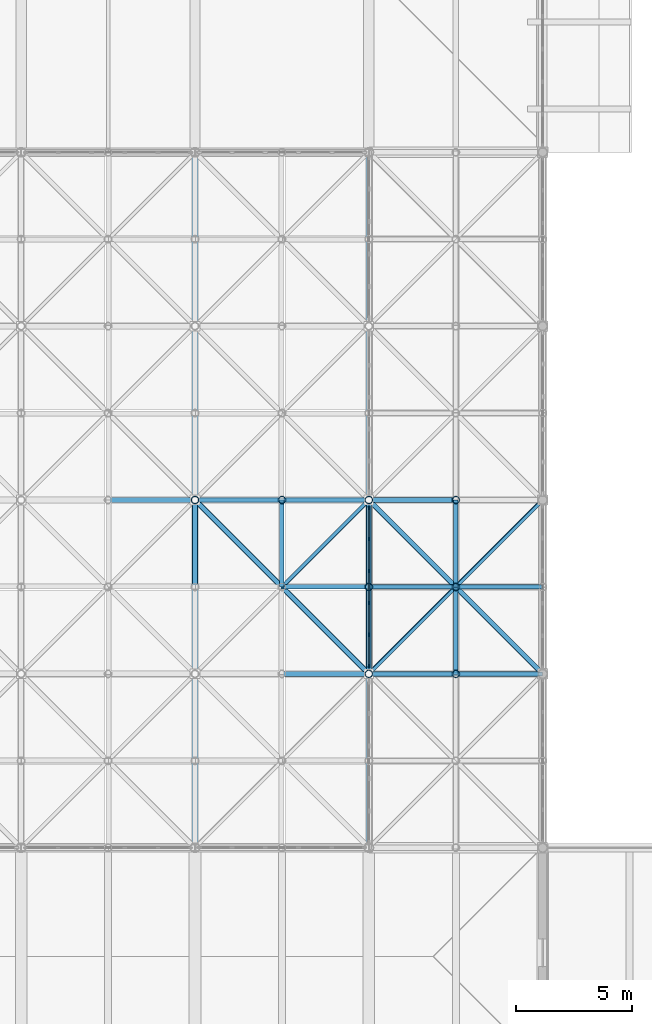
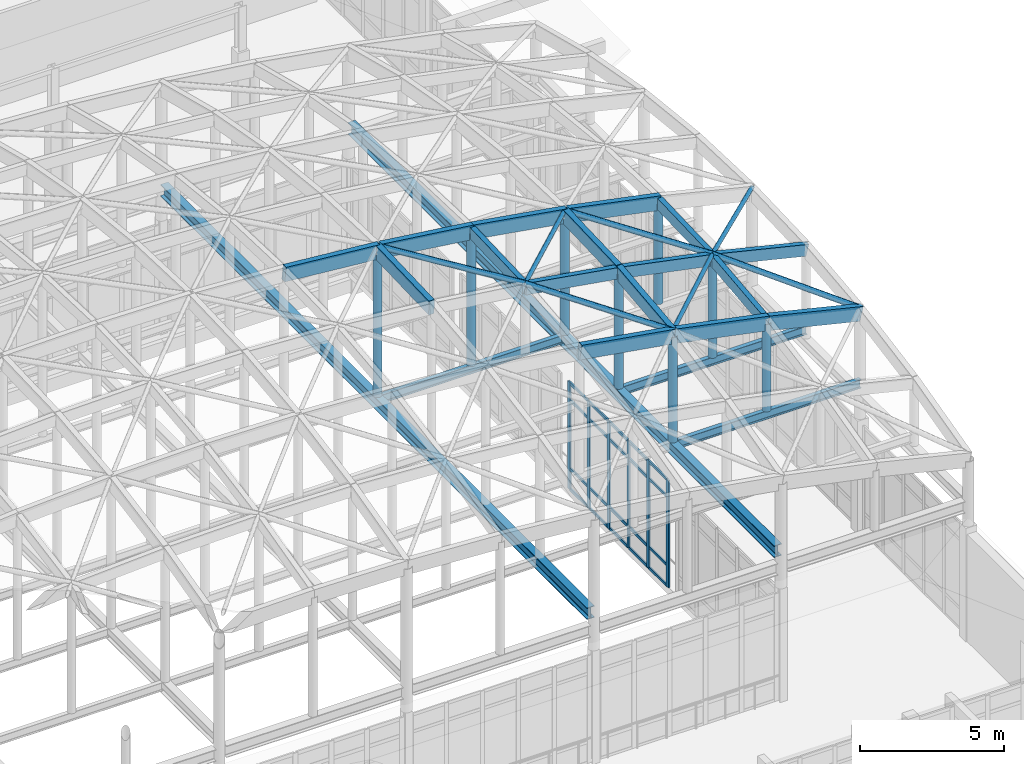
# One storey, part 44 of 131: 57 members, 5 beams, 1 element without a shape of its own.
"""IFC4 building model written with IfcOpenShell, lengths in metres."""

import ifcopenshell
import ifcopenshell.guid

model = None  # the IFC model being written
_history = None  # IfcOwnerHistory: only IFC2X3 demands one
_inside = {}  # id of a spatial element -> (the spatial element, [elements in it])
_under = {}  # id of a project, library or spatial element -> (it, [spatial elements below it])
_declared = {}  # id of a project -> (the project, [libraries it declares])
_typed = {}  # id of a type object -> (the type object, [elements of that type])
_made_of = {}  # id of a material, layer set ... -> (it, [elements and type objects made of it])


def new_model(schema):
    """Start an empty IFC model of exactly this schema.

    Asked for "IFC4X3", IfcOpenShell would pick the latest addendum, in which some entities
    have other attributes; the version numbers below select the first issue.
    IFC2X3 requires an IfcOwnerHistory on every rooted entity: one is made here for all.
    """
    global model, _history
    if schema == "IFC4X3":
        model = ifcopenshell.file(schema_version=(4, 3, 0, 0))
    else:
        model = ifcopenshell.file(schema=schema)
    _inside.clear()
    _under.clear()
    _declared.clear()
    _typed.clear()
    _made_of.clear()
    _history = None
    if model.schema == "IFC2X3":
        org = make("IfcOrganization", Name="unknown")
        user = make(
            "IfcPersonAndOrganization",
            ThePerson=make("IfcPerson", FamilyName="unknown"),
            TheOrganization=org,
        )
        app = make(
            "IfcApplication",
            ApplicationDeveloper=org,
            Version="unknown",
            ApplicationFullName="unknown",
            ApplicationIdentifier="unknown",
        )
        _history = make(
            "IfcOwnerHistory",
            OwningUser=user,
            OwningApplication=app,
            ChangeAction="ADDED",
            CreationDate=0,
        )
    return model


def make(cls, **values):
    """One entity of the class cls with the attributes given. An attribute that is None is left unset."""
    return model.create_entity(
        cls, **{name: value for name, value in values.items() if value is not None}
    )


def rooted(cls, **values):
    """An entity with a GlobalId (a new one), such as an element, a storey or a relation."""
    return make(cls, GlobalId=ifcopenshell.guid.new(), OwnerHistory=_history, **values)


def si_unit(unit_type, name, prefix=None):
    """IfcSIUnit, for example si_unit("LENGTHUNIT", "METRE", prefix="MILLI")."""
    return make("IfcSIUnit", UnitType=unit_type, Prefix=prefix, Name=name)


def assignment(units):
    """IfcUnitAssignment: the units of a project."""
    return None if units is None else make("IfcUnitAssignment", Units=units)


def point(xyz):
    """IfcCartesianPoint."""
    return None if xyz is None else make("IfcCartesianPoint", Coordinates=xyz)


def direction(xyz):
    """IfcDirection."""
    return None if xyz is None else make("IfcDirection", DirectionRatios=xyz)


def frame(location, z_axis=None, x_axis=None):
    """IfcAxis2Placement3D, a coordinate frame: its origin and axes. An axis left out is left unset."""
    return make(
        "IfcAxis2Placement3D",
        Location=point(location),
        Axis=direction(z_axis),
        RefDirection=direction(x_axis),
    )


def frame_2d(location, x_axis=None):
    """IfcAxis2Placement2D, a coordinate frame in the plane: its origin and x axis."""
    return make(
        "IfcAxis2Placement2D", Location=point(location), RefDirection=direction(x_axis)
    )


def origin():
    """The frame at (0, 0, 0) with its axes left unset."""
    return frame((0.0, 0.0, 0.0))


def origin_2d():
    """The frame at (0, 0) in the plane with its x axis left unset."""
    return frame_2d((0.0, 0.0))


def place(relative_to, where):
    """IfcLocalPlacement: puts the frame where relative to a parent placement (None: the world)."""
    return make(
        "IfcLocalPlacement", PlacementRelTo=relative_to, RelativePlacement=where
    )


def context(
    kind, dimensions, precision=None, world=None, true_north=None, identifier=None
):
    """IfcGeometricRepresentationContext, for example the 3D "Model" context."""
    return make(
        "IfcGeometricRepresentationContext",
        ContextIdentifier=identifier,
        ContextType=kind,
        CoordinateSpaceDimension=dimensions,
        Precision=precision,
        WorldCoordinateSystem=world,
        TrueNorth=true_north,
    )


def subcontext(parent, identifier, kind, view, scale=None):
    """IfcGeometricRepresentationSubContext, for example "Body" below "Model"."""
    return make(
        "IfcGeometricRepresentationSubContext",
        ContextIdentifier=identifier,
        ContextType=kind,
        ParentContext=parent,
        TargetScale=scale,
        TargetView=view,
    )


def project(units=None, contexts=None):
    """IfcProject with its units and contexts."""
    return rooted(
        "IfcProject",
        Name="project",
        RepresentationContexts=contexts,
        UnitsInContext=assignment(units),
    )


def spatial(cls, under=None, at=None, **own):
    """A site, building, storey or space (cls), placed at a placement, below another one or the project."""
    s = rooted(cls, ObjectPlacement=at, **own)
    if under is not None:
        _under.setdefault(under.id(), (under, []))[1].append(s)
    return s


def profile(cls, at=None, kind="AREA", **sizes):
    """A parametric profile (cls). Its sizes go by their IFC names, for example OverallWidth=200.0."""
    return make(cls, ProfileType=kind, Position=at, **sizes)


def rectangle(**sizes):
    """IfcRectangleProfileDef."""
    return profile("IfcRectangleProfileDef", **sizes)


def hollow_circle(**sizes):
    """IfcCircleHollowProfileDef."""
    return profile("IfcCircleHollowProfileDef", **sizes)


def i_section(**sizes):
    """IfcIShapeProfileDef."""
    return profile("IfcIShapeProfileDef", **sizes)


def extrude(swept, where, along, depth):
    """IfcExtrudedAreaSolid: the profile swept, set in the frame where, extruded along a direction by depth."""
    return make(
        "IfcExtrudedAreaSolid",
        SweptArea=swept,
        Position=where,
        ExtrudedDirection=direction(along),
        Depth=depth,
    )


def shape(context_of_items, identifier, shape_type, items):
    """IfcShapeRepresentation: the items that make up one representation, for example the "Body"."""
    return make(
        "IfcShapeRepresentation",
        ContextOfItems=context_of_items,
        RepresentationIdentifier=identifier,
        RepresentationType=shape_type,
        Items=items,
    )


def material(Name=None, Category=None):
    """IfcMaterial."""
    return make("IfcMaterial", Name=Name, Category=Category)


def layer(
    of_material, thickness, ventilated=None, Name=None, Category=None, Priority=None
):
    """IfcMaterialLayer: one layer of a wall or slab, of a material (None: an air gap)."""
    return make(
        "IfcMaterialLayer",
        Material=of_material,
        LayerThickness=thickness,
        IsVentilated=ventilated,
        Name=Name,
        Category=Category,
        Priority=Priority,
    )


def layer_set(layers, Name=None):
    """IfcMaterialLayerSet."""
    return make("IfcMaterialLayerSet", MaterialLayers=layers, LayerSetName=Name)


def material_profile(
    of_material, cross_section, Name=None, Category=None, Priority=None
):
    """IfcMaterialProfile: a cross section and its material."""
    return make(
        "IfcMaterialProfile",
        Name=Name,
        Material=of_material,
        Profile=cross_section,
        Priority=Priority,
        Category=Category,
    )


def profile_set(profiles, Name=None, composite=None):
    """IfcMaterialProfileSet."""
    return make(
        "IfcMaterialProfileSet",
        Name=Name,
        MaterialProfiles=profiles,
        CompositeProfile=composite,
    )


def made_of(thing, what):
    """Note that an element or type object is made of a material, layer set ...; save() writes the relation."""
    if what is not None:
        _made_of.setdefault(what.id(), (what, []))[1].append(thing)
    return thing


def type_object(cls, material=None, **own):
    """A type object (cls), such as IfcWallType, which elements share."""
    return made_of(rooted(cls, **own), material)


def element(
    cls,
    number,
    at=None,
    inside=None,
    cuts=None,
    type_object=None,
    material=None,
    context=None,
    identifier="Body",
    shape_type=None,
    held_by="IfcProductDefinitionShape",
    body=None,
    shapes=None,
    **own,
):
    """One element of the class cls, such as IfcWall. Its Tag is "e" and its number.

    at: its placement. inside: the storey or other place that contains it. cuts: it is an
    opening in that element (IfcRelVoidsElement). A single representation is given by context,
    identifier, shape_type and body (its items); several are given by shapes. held_by: the class
    of the entity that holds the representations. save() writes the other relations.
    """
    e = rooted(cls, Tag="e%d" % number, ObjectPlacement=at, **own)
    if body is not None:
        shapes = [shape(context, identifier, shape_type, body)]
    if shapes is not None:
        e.Representation = make(held_by, Representations=shapes)
    if inside is not None:
        _inside.setdefault(inside.id(), (inside, []))[1].append(e)
    if cuts is not None:
        rooted(
            "IfcRelVoidsElement", RelatingBuildingElement=cuts, RelatedOpeningElement=e
        )
    if type_object is not None:
        _typed.setdefault(type_object.id(), (type_object, []))[1].append(e)
    return made_of(e, material)


def aggregate(whole, parts):
    """IfcRelAggregates: a whole, such as a stair, and the parts it consists of."""
    return rooted("IfcRelAggregates", RelatingObject=whole, RelatedObjects=parts)


def save(model, path):
    """Write the relations noted so far, then the file.

    IfcRelAggregates (storeys below a building ...), IfcRelContainedInSpatialStructure (elements
    in a storey), IfcRelDefinesByType, IfcRelAssociatesMaterial and IfcRelDeclares: one each for
    every whole, place, type object, material and project.
    """
    for whole, parts in _under.values():
        aggregate(whole, parts)
    for where, things in _inside.values():
        rooted(
            "IfcRelContainedInSpatialStructure",
            RelatedElements=things,
            RelatingStructure=where,
        )
    for kind, things in _typed.values():
        rooted("IfcRelDefinesByType", RelatedObjects=things, RelatingType=kind)
    for what, things in _made_of.values():
        rooted("IfcRelAssociatesMaterial", RelatedObjects=things, RelatingMaterial=what)
    for by, libraries in _declared.values():
        rooted("IfcRelDeclares", RelatingContext=by, RelatedDefinitions=libraries)
    model.write(path)


model = new_model("IFC4")

# Units and contexts
model_context = context("Model", 3, precision=1e-05, world=origin(), true_north=direction((0.0, 1.0)))
body_context = subcontext(model_context, "Body", "Model", "MODEL_VIEW")
ifc_project = project(units=[si_unit("LENGTHUNIT", "METRE"), si_unit("AREAUNIT", "SQUARE_METRE"), si_unit("VOLUMEUNIT", "CUBIC_METRE"), si_unit("PLANEANGLEUNIT", "RADIAN"), si_unit("MASSUNIT", "GRAM", prefix="KILO")], contexts=[model_context])

# Site, building, storey
site_placement = place(None, origin())
site = spatial("IfcSite", under=ifc_project, at=site_placement, CompositionType="ELEMENT")
building_placement = place(site_placement, origin())
building = spatial("IfcBuilding", under=site, at=building_placement, Name="Dalvernix Boulevard General Hospital", CompositionType="ELEMENT")
storey_placement = place(building_placement, frame((0.0, 0.0, 9.300048828125)))
storey = spatial("IfcBuildingStorey", under=building, at=storey_placement, Name="L02", CompositionType="ELEMENT", Elevation=9.300048828125)

# Beams
ifc_material_1 = material(Name="Steel S355", Category="steel")
ifc_material_profile_1 = material_profile(ifc_material_1, i_section(OverallWidth=0.300048828125, OverallDepth=0.5, WebThickness=0.014404296875, FlangeThickness=0.028076171875, FilletRadius=0.027099609375, at=origin_2d()), Name="HEB 500")
ifc_profile_set_1 = profile_set([ifc_material_profile_1], Name="Steel S355")
beam_type_1 = type_object("IfcBeamType", Name="BM-RB-02", PredefinedType="BEAM", material=ifc_profile_set_1)
for number, where, z_axis, x_axis, name in (
    (1, (97.5, 31.7099609375, 6.14990234375), (0.0, 1.0, 0.0), (-1.0, 0.0, 0.0), "ROOF TRUSS Gridshell tie beam 10"),
    (2, (105.0, 31.7099609375, 6.14990234375), (0.0, 1.0, 0.0), (-1.0, 0.0, 0.0), "ROOF TRUSS Gridshell tie beam 12"),
):
    element("IfcBeam", number, at=place(storey_placement, frame(where, z_axis=z_axis, x_axis=x_axis)), inside=storey, type_object=beam_type_1, Name=name, PredefinedType="BEAM", context=body_context, shape_type="SweptSolid", body=[
        extrude(i_section(OverallWidth=0.300048828125, OverallDepth=0.5, WebThickness=0.014404296875, FlangeThickness=0.028076171875, FilletRadius=0.027099609375, at=origin_2d()), origin(), (0.0, 0.0, 1.0), 29.580078125),
    ])
ifc_material_profile_2 = material_profile(ifc_material_1, i_section(OverallWidth=0.169921875, OverallDepth=0.360107421875, WebThickness=0.008056640625, FlangeThickness=0.0126953125, FilletRadius=0.01806640625, at=origin_2d()), Name="IPE 360")
ifc_profile_set_2 = profile_set([ifc_material_profile_2], Name="Steel S355")
beam_type_2 = type_object("IfcBeamType", Name="BM-RB-08", PredefinedType="BEAM", material=ifc_profile_set_2)
for number, where, z_axis, x_axis, name in (
    (3, (105.14208984375, 39.0, 6.219970703125), (1.0, 0.0, 0.0), (0.0, 1.0, 0.0), "ROOF TRUSS Gridshell cross tie 12-2"),
    (4, (105.14208984375, 42.75, 6.219970703125), (1.0, 0.0, 0.0), (0.0, 1.0, 0.0), "ROOF TRUSS Gridshell cross tie 12-3"),
):
    element("IfcBeam", number, at=place(storey_placement, frame(where, z_axis=z_axis, x_axis=x_axis)), inside=storey, type_object=beam_type_2, Name=name, PredefinedType="BEAM", context=body_context, shape_type="SweptSolid", body=[
        extrude(i_section(OverallWidth=0.169921875, OverallDepth=0.360107421875, WebThickness=0.008056640625, FlangeThickness=0.0126953125, FilletRadius=0.01806640625, at=origin_2d()), origin(), (0.0, 0.0, 1.0), 7.35791015625),
    ])
beam_placement = place(storey_placement, frame((97.64208984375, 46.5, 6.219970703125), z_axis=(1.0, 0.0, 0.0), x_axis=(0.0, 1.0, 0.0)))
element("IfcBeam", 5, at=beam_placement, inside=storey, type_object=beam_type_2, Name="ROOF TRUSS Gridshell cross tie 10-4", PredefinedType="BEAM", context=body_context, shape_type="SweptSolid", body=[
    extrude(i_section(OverallWidth=0.169921875, OverallDepth=0.360107421875, WebThickness=0.008056640625, FlangeThickness=0.0126953125, FilletRadius=0.01806640625, at=origin_2d()), origin(), (0.0, 0.0, 1.0), 7.2158203125),
])

# Curtain wall, members
ifc_material_2 = material(Name="Thermally broken aluminium and solar-control glass curtain wall", Category="aluminium")
ifc_layer = layer(ifc_material_2, 0.159912109375)
ifc_layer_set = layer_set([ifc_layer], Name="Thermally broken aluminium and solar-control glass curtain wall (CW-CW-A-69x46)")
curtain_wall_type = type_object("IfcCurtainWallType", Name="CW-CW-A-69x46", PredefinedType="USERDEFINED", material=ifc_layer_set)
curtain_wall_placement = place(storey_placement, origin())
curtain_wall = element("IfcCurtainWall", 6, at=curtain_wall_placement, inside=storey, type_object=curtain_wall_type, Name="L02 curtain wall CW-A-69x46 14-5", ObjectType="GLAZED FACADE", PredefinedType="USERDEFINED")
ifc_material_3 = material(Name="Aluminium EN AW-6060", Category="aluminium")
ifc_material_profile_3 = material_profile(ifc_material_3, rectangle(XDim=0.06005859375, YDim=0.159912109375, at=origin_2d()), Name="ALU MULL 60x160")
ifc_profile_set_3 = profile_set([ifc_material_profile_3], Name="Aluminium EN AW-6060")
member_type_1 = type_object("IfcMemberType", Name="MEM-CW-M1", PredefinedType="MULLION", material=ifc_profile_set_3)
member_1_placement = place(storey_placement, frame((105.0, 39.340087890625, 0.0), z_axis=(0.0, 0.0, 1.0), x_axis=(-1.0, 0.0, 0.0)))
member_1 = element("IfcMember", 7, at=member_1_placement, type_object=member_type_1, Name="CW-A-69x46 mullion 1", PredefinedType="MULLION", context=body_context, shape_type="SweptSolid", body=[
    extrude(rectangle(XDim=0.06005859375, YDim=0.159912109375, at=origin_2d()), origin(), (0.0, 0.0, 1.0), 4.550048828125),
])
member_2_placement = place(storey_placement, frame((105.0, 40.68603515625, 0.0), z_axis=(0.0, 0.0, 1.0), x_axis=(-1.0, 0.0, 0.0)))
member_2 = element("IfcMember", 8, at=member_2_placement, type_object=member_type_1, Name="CW-A-69x46 mullion 2", PredefinedType="MULLION", context=body_context, shape_type="SweptSolid", body=[
    extrude(rectangle(XDim=0.06005859375, YDim=0.159912109375, at=origin_2d()), origin(), (0.0, 0.0, 1.0), 4.550048828125),
])
member_3_placement = place(storey_placement, frame((105.0, 42.06201171875, 0.0), z_axis=(0.0, 0.0, 1.0), x_axis=(-1.0, 0.0, 0.0)))
member_3 = element("IfcMember", 9, at=member_3_placement, type_object=member_type_1, Name="CW-A-69x46 mullion 3", PredefinedType="MULLION", context=body_context, shape_type="SweptSolid", body=[
    extrude(rectangle(XDim=0.06005859375, YDim=0.159912109375, at=origin_2d()), origin(), (0.0, 0.0, 1.0), 4.550048828125),
])
member_4_placement = place(storey_placement, frame((105.0, 43.43798828125, 0.0), z_axis=(0.0, 0.0, 1.0), x_axis=(-1.0, 0.0, 0.0)))
member_4 = element("IfcMember", 10, at=member_4_placement, type_object=member_type_1, Name="CW-A-69x46 mullion 4", PredefinedType="MULLION", context=body_context, shape_type="SweptSolid", body=[
    extrude(rectangle(XDim=0.06005859375, YDim=0.159912109375, at=origin_2d()), origin(), (0.0, 0.0, 1.0), 4.550048828125),
])
member_5_placement = place(storey_placement, frame((105.0, 44.81396484375, 0.0), z_axis=(0.0, 0.0, 1.0), x_axis=(-1.0, 0.0, 0.0)))
member_5 = element("IfcMember", 11, at=member_5_placement, type_object=member_type_1, Name="CW-A-69x46 mullion 5", PredefinedType="MULLION", context=body_context, shape_type="SweptSolid", body=[
    extrude(rectangle(XDim=0.06005859375, YDim=0.159912109375, at=origin_2d()), origin(), (0.0, 0.0, 1.0), 4.550048828125),
])
member_6_placement = place(storey_placement, frame((105.0, 46.159912109375, 0.0), z_axis=(0.0, 0.0, 1.0), x_axis=(-1.0, 0.0, 0.0)))
member_6 = element("IfcMember", 12, at=member_6_placement, type_object=member_type_1, Name="CW-A-69x46 mullion 6", PredefinedType="MULLION", context=body_context, shape_type="SweptSolid", body=[
    extrude(rectangle(XDim=0.06005859375, YDim=0.159912109375, at=origin_2d()), origin(), (0.0, 0.0, 1.0), 4.550048828125),
])
ifc_material_profile_4 = material_profile(ifc_material_3, rectangle(XDim=0.06005859375, YDim=0.1201171875, at=origin_2d()), Name="ALU TRAN 60x120")
ifc_profile_set_4 = profile_set([ifc_material_profile_4], Name="Aluminium EN AW-6060")
member_type_2 = type_object("IfcMemberType", Name="MEM-CW-T1", PredefinedType="USERDEFINED", material=ifc_profile_set_4)
member_7_placement = place(storey_placement, frame((105.0, 39.3701171875, 0.030029296875), z_axis=(0.0, 1.0, 0.0), x_axis=(-1.0, 0.0, 0.0)))
member_7 = element("IfcMember", 13, at=member_7_placement, type_object=member_type_2, Name="CW-A-69x46 transom 1.1", ObjectType="TRANSOM", PredefinedType="USERDEFINED", context=body_context, shape_type="SweptSolid", body=[
    extrude(rectangle(XDim=0.06005859375, YDim=0.1201171875, at=origin_2d()), origin(), (0.0, 0.0, 1.0), 1.285888671875),
])
member_8_placement = place(storey_placement, frame((105.0, 39.3701171875, 0.89990234375), z_axis=(0.0, 1.0, 0.0), x_axis=(-1.0, 0.0, 0.0)))
member_8 = element("IfcMember", 14, at=member_8_placement, type_object=member_type_2, Name="CW-A-69x46 transom 1.2", ObjectType="TRANSOM", PredefinedType="USERDEFINED", context=body_context, shape_type="SweptSolid", body=[
    extrude(rectangle(XDim=0.06005859375, YDim=0.1201171875, at=origin_2d()), origin(), (0.0, 0.0, 1.0), 1.285888671875),
])
member_9_placement = place(storey_placement, frame((105.0, 39.3701171875, 3.800048828125), z_axis=(0.0, 1.0, 0.0), x_axis=(-1.0, 0.0, 0.0)))
member_9 = element("IfcMember", 15, at=member_9_placement, type_object=member_type_2, Name="CW-A-69x46 transom 1.3", ObjectType="TRANSOM", PredefinedType="USERDEFINED", context=body_context, shape_type="SweptSolid", body=[
    extrude(rectangle(XDim=0.06005859375, YDim=0.1201171875, at=origin_2d()), origin(), (0.0, 0.0, 1.0), 1.285888671875),
])
member_10_placement = place(storey_placement, frame((105.0, 39.3701171875, 4.52001953125), z_axis=(0.0, 1.0, 0.0), x_axis=(-1.0, 0.0, 0.0)))
member_10 = element("IfcMember", 16, at=member_10_placement, type_object=member_type_2, Name="CW-A-69x46 transom 1.4", ObjectType="TRANSOM", PredefinedType="USERDEFINED", context=body_context, shape_type="SweptSolid", body=[
    extrude(rectangle(XDim=0.06005859375, YDim=0.1201171875, at=origin_2d()), origin(), (0.0, 0.0, 1.0), 1.285888671875),
])
member_11_placement = place(storey_placement, frame((105.0, 40.716064453125, 0.030029296875), z_axis=(0.0, 1.0, 0.0), x_axis=(-1.0, 0.0, 0.0)))
member_11 = element("IfcMember", 17, at=member_11_placement, type_object=member_type_2, Name="CW-A-69x46 transom 2.1", ObjectType="TRANSOM", PredefinedType="USERDEFINED", context=body_context, shape_type="SweptSolid", body=[
    extrude(rectangle(XDim=0.06005859375, YDim=0.1201171875, at=origin_2d()), origin(), (0.0, 0.0, 1.0), 1.31591796875),
])
member_12_placement = place(storey_placement, frame((105.0, 40.716064453125, 0.89990234375), z_axis=(0.0, 1.0, 0.0), x_axis=(-1.0, 0.0, 0.0)))
member_12 = element("IfcMember", 18, at=member_12_placement, type_object=member_type_2, Name="CW-A-69x46 transom 2.2", ObjectType="TRANSOM", PredefinedType="USERDEFINED", context=body_context, shape_type="SweptSolid", body=[
    extrude(rectangle(XDim=0.06005859375, YDim=0.1201171875, at=origin_2d()), origin(), (0.0, 0.0, 1.0), 1.31591796875),
])
member_13_placement = place(storey_placement, frame((105.0, 40.716064453125, 3.800048828125), z_axis=(0.0, 1.0, 0.0), x_axis=(-1.0, 0.0, 0.0)))
member_13 = element("IfcMember", 19, at=member_13_placement, type_object=member_type_2, Name="CW-A-69x46 transom 2.3", ObjectType="TRANSOM", PredefinedType="USERDEFINED", context=body_context, shape_type="SweptSolid", body=[
    extrude(rectangle(XDim=0.06005859375, YDim=0.1201171875, at=origin_2d()), origin(), (0.0, 0.0, 1.0), 1.31591796875),
])
member_14_placement = place(storey_placement, frame((105.0, 40.716064453125, 4.52001953125), z_axis=(0.0, 1.0, 0.0), x_axis=(-1.0, 0.0, 0.0)))
member_14 = element("IfcMember", 20, at=member_14_placement, type_object=member_type_2, Name="CW-A-69x46 transom 2.4", ObjectType="TRANSOM", PredefinedType="USERDEFINED", context=body_context, shape_type="SweptSolid", body=[
    extrude(rectangle(XDim=0.06005859375, YDim=0.1201171875, at=origin_2d()), origin(), (0.0, 0.0, 1.0), 1.31591796875),
])
member_15_placement = place(storey_placement, frame((105.0, 42.092041015625, 0.030029296875), z_axis=(0.0, 1.0, 0.0), x_axis=(-1.0, 0.0, 0.0)))
member_15 = element("IfcMember", 21, at=member_15_placement, type_object=member_type_2, Name="CW-A-69x46 transom 3.1", ObjectType="TRANSOM", PredefinedType="USERDEFINED", context=body_context, shape_type="SweptSolid", body=[
    extrude(rectangle(XDim=0.06005859375, YDim=0.1201171875, at=origin_2d()), origin(), (0.0, 0.0, 1.0), 1.31591796875),
])
member_16_placement = place(storey_placement, frame((105.0, 42.092041015625, 0.89990234375), z_axis=(0.0, 1.0, 0.0), x_axis=(-1.0, 0.0, 0.0)))
member_16 = element("IfcMember", 22, at=member_16_placement, type_object=member_type_2, Name="CW-A-69x46 transom 3.2", ObjectType="TRANSOM", PredefinedType="USERDEFINED", context=body_context, shape_type="SweptSolid", body=[
    extrude(rectangle(XDim=0.06005859375, YDim=0.1201171875, at=origin_2d()), origin(), (0.0, 0.0, 1.0), 1.31591796875),
])
member_17_placement = place(storey_placement, frame((105.0, 42.092041015625, 3.800048828125), z_axis=(0.0, 1.0, 0.0), x_axis=(-1.0, 0.0, 0.0)))
member_17 = element("IfcMember", 23, at=member_17_placement, type_object=member_type_2, Name="CW-A-69x46 transom 3.3", ObjectType="TRANSOM", PredefinedType="USERDEFINED", context=body_context, shape_type="SweptSolid", body=[
    extrude(rectangle(XDim=0.06005859375, YDim=0.1201171875, at=origin_2d()), origin(), (0.0, 0.0, 1.0), 1.31591796875),
])
member_18_placement = place(storey_placement, frame((105.0, 42.092041015625, 4.52001953125), z_axis=(0.0, 1.0, 0.0), x_axis=(-1.0, 0.0, 0.0)))
member_18 = element("IfcMember", 24, at=member_18_placement, type_object=member_type_2, Name="CW-A-69x46 transom 3.4", ObjectType="TRANSOM", PredefinedType="USERDEFINED", context=body_context, shape_type="SweptSolid", body=[
    extrude(rectangle(XDim=0.06005859375, YDim=0.1201171875, at=origin_2d()), origin(), (0.0, 0.0, 1.0), 1.31591796875),
])
member_19_placement = place(storey_placement, frame((105.0, 43.468017578125, 0.030029296875), z_axis=(0.0, 1.0, 0.0), x_axis=(-1.0, 0.0, 0.0)))
member_19 = element("IfcMember", 25, at=member_19_placement, type_object=member_type_2, Name="CW-A-69x46 transom 4.1", ObjectType="TRANSOM", PredefinedType="USERDEFINED", context=body_context, shape_type="SweptSolid", body=[
    extrude(rectangle(XDim=0.06005859375, YDim=0.1201171875, at=origin_2d()), origin(), (0.0, 0.0, 1.0), 1.31591796875),
])
member_20_placement = place(storey_placement, frame((105.0, 43.468017578125, 0.89990234375), z_axis=(0.0, 1.0, 0.0), x_axis=(-1.0, 0.0, 0.0)))
member_20 = element("IfcMember", 26, at=member_20_placement, type_object=member_type_2, Name="CW-A-69x46 transom 4.2", ObjectType="TRANSOM", PredefinedType="USERDEFINED", context=body_context, shape_type="SweptSolid", body=[
    extrude(rectangle(XDim=0.06005859375, YDim=0.1201171875, at=origin_2d()), origin(), (0.0, 0.0, 1.0), 1.31591796875),
])
member_21_placement = place(storey_placement, frame((105.0, 43.468017578125, 3.800048828125), z_axis=(0.0, 1.0, 0.0), x_axis=(-1.0, 0.0, 0.0)))
member_21 = element("IfcMember", 27, at=member_21_placement, type_object=member_type_2, Name="CW-A-69x46 transom 4.3", ObjectType="TRANSOM", PredefinedType="USERDEFINED", context=body_context, shape_type="SweptSolid", body=[
    extrude(rectangle(XDim=0.06005859375, YDim=0.1201171875, at=origin_2d()), origin(), (0.0, 0.0, 1.0), 1.31591796875),
])
member_22_placement = place(storey_placement, frame((105.0, 43.468017578125, 4.52001953125), z_axis=(0.0, 1.0, 0.0), x_axis=(-1.0, 0.0, 0.0)))
member_22 = element("IfcMember", 28, at=member_22_placement, type_object=member_type_2, Name="CW-A-69x46 transom 4.4", ObjectType="TRANSOM", PredefinedType="USERDEFINED", context=body_context, shape_type="SweptSolid", body=[
    extrude(rectangle(XDim=0.06005859375, YDim=0.1201171875, at=origin_2d()), origin(), (0.0, 0.0, 1.0), 1.31591796875),
])
member_23_placement = place(storey_placement, frame((105.0, 44.843994140625, 0.030029296875), z_axis=(0.0, 1.0, 0.0), x_axis=(-1.0, 0.0, 0.0)))
member_23 = element("IfcMember", 29, at=member_23_placement, type_object=member_type_2, Name="CW-A-69x46 transom 5.1", ObjectType="TRANSOM", PredefinedType="USERDEFINED", context=body_context, shape_type="SweptSolid", body=[
    extrude(rectangle(XDim=0.06005859375, YDim=0.1201171875, at=origin_2d()), origin(), (0.0, 0.0, 1.0), 1.285888671875),
])
member_24_placement = place(storey_placement, frame((105.0, 44.843994140625, 0.89990234375), z_axis=(0.0, 1.0, 0.0), x_axis=(-1.0, 0.0, 0.0)))
member_24 = element("IfcMember", 30, at=member_24_placement, type_object=member_type_2, Name="CW-A-69x46 transom 5.2", ObjectType="TRANSOM", PredefinedType="USERDEFINED", context=body_context, shape_type="SweptSolid", body=[
    extrude(rectangle(XDim=0.06005859375, YDim=0.1201171875, at=origin_2d()), origin(), (0.0, 0.0, 1.0), 1.285888671875),
])
member_25_placement = place(storey_placement, frame((105.0, 44.843994140625, 3.800048828125), z_axis=(0.0, 1.0, 0.0), x_axis=(-1.0, 0.0, 0.0)))
member_25 = element("IfcMember", 31, at=member_25_placement, type_object=member_type_2, Name="CW-A-69x46 transom 5.3", ObjectType="TRANSOM", PredefinedType="USERDEFINED", context=body_context, shape_type="SweptSolid", body=[
    extrude(rectangle(XDim=0.06005859375, YDim=0.1201171875, at=origin_2d()), origin(), (0.0, 0.0, 1.0), 1.285888671875),
])
member_26_placement = place(storey_placement, frame((105.0, 44.843994140625, 4.52001953125), z_axis=(0.0, 1.0, 0.0), x_axis=(-1.0, 0.0, 0.0)))
member_26 = element("IfcMember", 32, at=member_26_placement, type_object=member_type_2, Name="CW-A-69x46 transom 5.4", ObjectType="TRANSOM", PredefinedType="USERDEFINED", context=body_context, shape_type="SweptSolid", body=[
    extrude(rectangle(XDim=0.06005859375, YDim=0.1201171875, at=origin_2d()), origin(), (0.0, 0.0, 1.0), 1.285888671875),
])
aggregate(curtain_wall, [member_1, member_2, member_3, member_4, member_5, member_6, member_7, member_8, member_9, member_10, member_11, member_12, member_13, member_14, member_15, member_16, member_17, member_18, member_19, member_20, member_21, member_22, member_23, member_24, member_25, member_26])

# Members
ifc_material_4 = material(Name="Glulam GL28h", Category="wood")
ifc_material_profile_5 = material_profile(ifc_material_4, rectangle(XDim=0.219970703125, YDim=0.60009765625, at=origin_2d()), Name="GL28h 220x600")
ifc_profile_set_5 = profile_set([ifc_material_profile_5], Name="Glulam GL28h")
member_type_3 = type_object("IfcMemberType", Name="MEM-GS-C1", PredefinedType="CHORD", material=ifc_profile_set_5)
member_27_placement = place(storey_placement, frame((101.25, 39.0, 11.48974609375), z_axis=(0.98641474393, 0.0, -0.164274017902), x_axis=(0.0, 1.0, 0.0)))
element("IfcMember", 33, at=member_27_placement, inside=storey, type_object=member_type_3, Name="ROOF TRUSS Gridshell E-W glulam rib 12-3", PredefinedType="CHORD", context=body_context, shape_type="SweptSolid", body=[
    extrude(rectangle(XDim=0.219970703125, YDim=0.60009765625, at=origin_2d()), origin(), (0.0, 0.0, 1.0), 3.8017578125),
])
member_28_placement = place(storey_placement, frame((105.0, 39.0, 10.865234375), z_axis=(0.979912579686, 0.0, -0.1994275211), x_axis=(0.0, 1.0, 0.0)))
element("IfcMember", 34, at=member_28_placement, inside=storey, type_object=member_type_3, Name="ROOF TRUSS Gridshell E-W glulam rib 13-3", PredefinedType="CHORD", context=body_context, shape_type="SweptSolid", body=[
    extrude(rectangle(XDim=0.219970703125, YDim=0.60009765625, at=origin_2d()), origin(), (0.0, 0.0, 1.0), 3.826904296875),
])
member_29_placement = place(storey_placement, frame((108.75, 39.0, 10.10205078125), z_axis=(0.972263633295, 0.0, -0.233887638348), x_axis=(0.0, 1.0, 0.0)))
element("IfcMember", 35, at=member_29_placement, inside=storey, type_object=member_type_3, Name="ROOF TRUSS Gridshell E-W glulam rib 14-3", PredefinedType="CHORD", context=body_context, shape_type="SweptSolid", body=[
    extrude(rectangle(XDim=0.219970703125, YDim=0.60009765625, at=origin_2d()), origin(), (0.0, 0.0, 1.0), 3.85693359375),
])
member_30_placement = place(storey_placement, frame((93.75, 46.5, 12.872314453125), z_axis=(0.995747945021, 0.0, -0.092119650382), x_axis=(0.0, 1.0, 0.0)))
element("IfcMember", 36, at=member_30_placement, inside=storey, type_object=member_type_3, Name="ROOF TRUSS Gridshell E-W glulam rib 10-5", PredefinedType="CHORD", context=body_context, shape_type="SweptSolid", body=[
    extrude(rectangle(XDim=0.219970703125, YDim=0.60009765625, at=origin_2d()), origin(), (0.0, 0.0, 1.0), 3.76611328125),
])
member_31_placement = place(storey_placement, frame((97.5, 46.5, 12.525390625), z_axis=(0.99171987465, 0.0, -0.128419975956), x_axis=(0.0, 1.0, 0.0)))
element("IfcMember", 37, at=member_31_placement, inside=storey, type_object=member_type_3, Name="ROOF TRUSS Gridshell E-W glulam rib 11-5", PredefinedType="CHORD", context=body_context, shape_type="SweptSolid", body=[
    extrude(rectangle(XDim=0.219970703125, YDim=0.60009765625, at=origin_2d()), origin(), (0.0, 0.0, 1.0), 3.78125),
])
member_32_placement = place(storey_placement, frame((101.25, 46.5, 12.039794921875), z_axis=(0.98641474393, 0.0, -0.164274017902), x_axis=(0.0, 1.0, 0.0)))
element("IfcMember", 38, at=member_32_placement, inside=storey, type_object=member_type_3, Name="ROOF TRUSS Gridshell E-W glulam rib 12-5", PredefinedType="CHORD", context=body_context, shape_type="SweptSolid", body=[
    extrude(rectangle(XDim=0.219970703125, YDim=0.60009765625, at=origin_2d()), origin(), (0.0, 0.0, 1.0), 3.8017578125),
])
member_33_placement = place(storey_placement, frame((105.0, 46.5, 11.415283203125), z_axis=(0.979900110741, 0.0, -0.199488779055), x_axis=(0.0, 1.0, 0.0)))
element("IfcMember", 39, at=member_33_placement, inside=storey, type_object=member_type_3, Name="ROOF TRUSS Gridshell E-W glulam rib 13-5", PredefinedType="CHORD", context=body_context, shape_type="SweptSolid", body=[
    extrude(rectangle(XDim=0.219970703125, YDim=0.60009765625, at=origin_2d()), origin(), (0.0, 0.0, 1.0), 3.826904296875),
])
member_34_placement = place(storey_placement, frame((97.5, 42.75, 12.387939453125), z_axis=(0.0, 0.999328931228, 0.036629048716), x_axis=(-1.0, 0.0, 0.0)))
element("IfcMember", 40, at=member_34_placement, inside=storey, type_object=member_type_3, Name="ROOF TRUSS Gridshell N-S glulam rib 11-4", PredefinedType="CHORD", context=body_context, shape_type="SweptSolid", body=[
    extrude(rectangle(XDim=0.219970703125, YDim=0.60009765625, at=origin_2d()), origin(), (0.0, 0.0, 1.0), 3.75244140625),
])
member_35_placement = place(storey_placement, frame((105.0, 39.0, 10.865234375), z_axis=(0.0, 0.994001542248, 0.109366055104), x_axis=(-1.0, 0.0, 0.0)))
element("IfcMember", 41, at=member_35_placement, inside=storey, type_object=member_type_3, Name="ROOF TRUSS Gridshell N-S glulam rib 13-3", PredefinedType="CHORD", context=body_context, shape_type="SweptSolid", body=[
    extrude(rectangle(XDim=0.219970703125, YDim=0.60009765625, at=origin_2d()), origin(), (0.0, 0.0, 1.0), 3.772705078125),
])
member_36_placement = place(storey_placement, frame((105.0, 42.75, 11.27783203125), z_axis=(0.0, 0.999328931228, 0.036629048716), x_axis=(-1.0, 0.0, 0.0)))
element("IfcMember", 42, at=member_36_placement, inside=storey, type_object=member_type_3, Name="ROOF TRUSS Gridshell N-S glulam rib 13-4", PredefinedType="CHORD", context=body_context, shape_type="SweptSolid", body=[
    extrude(rectangle(XDim=0.219970703125, YDim=0.60009765625, at=origin_2d()), origin(), (0.0, 0.0, 1.0), 3.75244140625),
])
ifc_material_profile_6 = material_profile(ifc_material_4, rectangle(XDim=0.199951171875, YDim=0.47998046875, at=origin_2d()), Name="GL28h 200x480")
ifc_profile_set_6 = profile_set([ifc_material_profile_6], Name="Glulam GL28h")
member_type_4 = type_object("IfcMemberType", Name="MEM-GS-C2", PredefinedType="CHORD", material=ifc_profile_set_6)
member_37_placement = place(storey_placement, frame((101.25, 42.75, 11.90234375), z_axis=(0.98641474393, 0.0, -0.164274017902), x_axis=(0.0, 1.0, 0.0)))
element("IfcMember", 43, at=member_37_placement, inside=storey, type_object=member_type_4, Name="ROOF TRUSS Gridshell E-W glulam rib 12-4", PredefinedType="CHORD", context=body_context, shape_type="SweptSolid", body=[
    extrude(rectangle(XDim=0.199951171875, YDim=0.47998046875, at=origin_2d()), origin(), (0.0, 0.0, 1.0), 3.8017578125),
])
member_38_placement = place(storey_placement, frame((105.0, 42.75, 11.27783203125), z_axis=(0.979900110741, 0.0, -0.199488779055), x_axis=(0.0, 1.0, 0.0)))
element("IfcMember", 44, at=member_38_placement, inside=storey, type_object=member_type_4, Name="ROOF TRUSS Gridshell E-W glulam rib 13-4", PredefinedType="CHORD", context=body_context, shape_type="SweptSolid", body=[
    extrude(rectangle(XDim=0.199951171875, YDim=0.47998046875, at=origin_2d()), origin(), (0.0, 0.0, 1.0), 3.826904296875),
])
member_39_placement = place(storey_placement, frame((108.75, 42.75, 10.514404296875), z_axis=(0.972278025754, 0.0, -0.233827801246), x_axis=(0.0, 1.0, 0.0)))
element("IfcMember", 45, at=member_39_placement, inside=storey, type_object=member_type_4, Name="ROOF TRUSS Gridshell E-W glulam rib 14-4", PredefinedType="CHORD", context=body_context, shape_type="SweptSolid", body=[
    extrude(rectangle(XDim=0.199951171875, YDim=0.47998046875, at=origin_2d()), origin(), (0.0, 0.0, 1.0), 3.85693359375),
])
member_40_placement = place(storey_placement, frame((101.25, 42.75, 11.90234375), z_axis=(0.0, 0.999328931228, 0.036629048716), x_axis=(-1.0, 0.0, 0.0)))
element("IfcMember", 46, at=member_40_placement, inside=storey, type_object=member_type_4, Name="ROOF TRUSS Gridshell N-S glulam rib 12-4", PredefinedType="CHORD", context=body_context, shape_type="SweptSolid", body=[
    extrude(rectangle(XDim=0.199951171875, YDim=0.47998046875, at=origin_2d()), origin(), (0.0, 0.0, 1.0), 3.75244140625),
])
member_41_placement = place(storey_placement, frame((108.75, 39.0, 10.10205078125), z_axis=(0.0, 0.994008575263, 0.109302114819), x_axis=(-1.0, 0.0, 0.0)))
element("IfcMember", 47, at=member_41_placement, inside=storey, type_object=member_type_4, Name="ROOF TRUSS Gridshell N-S glulam rib 14-3", PredefinedType="CHORD", context=body_context, shape_type="SweptSolid", body=[
    extrude(rectangle(XDim=0.199951171875, YDim=0.47998046875, at=origin_2d()), origin(), (0.0, 0.0, 1.0), 3.772705078125),
])
member_42_placement = place(storey_placement, frame((108.75, 42.75, 10.514404296875), z_axis=(0.0, 0.999328931228, 0.036629048716), x_axis=(-1.0, 0.0, 0.0)))
element("IfcMember", 48, at=member_42_placement, inside=storey, type_object=member_type_4, Name="ROOF TRUSS Gridshell N-S glulam rib 14-4", PredefinedType="CHORD", context=body_context, shape_type="SweptSolid", body=[
    extrude(rectangle(XDim=0.199951171875, YDim=0.47998046875, at=origin_2d()), origin(), (0.0, 0.0, 1.0), 3.75244140625),
])
ifc_material_profile_7 = material_profile(ifc_material_1, hollow_circle(Radius=0.161865234375, WallThickness=0.012451171875, at=origin_2d()), Name="CHS 323.9x12.5")
ifc_profile_set_7 = profile_set([ifc_material_profile_7], Name="Steel S355")
member_type_5 = type_object("IfcMemberType", Name="MEM-GS-C3", PredefinedType="CHORD", material=ifc_profile_set_7)
member_43_placement = place(storey_placement, frame((97.5, 46.5, 6.39990234375), z_axis=(0.0, 0.0, 1.0), x_axis=(1.0, 0.0, 0.0)))
element("IfcMember", 49, at=member_43_placement, inside=storey, type_object=member_type_5, Name="ROOF TRUSS Gridshell arch queen post 10-4", PredefinedType="CHORD", context=body_context, shape_type="SweptSolid", body=[
    extrude(hollow_circle(Radius=0.161865234375, WallThickness=0.012451171875, at=origin_2d()), origin(), (0.0, 0.0, 1.0), 6.12548828125),
])
member_44_placement = place(storey_placement, frame((101.25, 46.5, 6.39990234375), z_axis=(0.0, 0.0, 1.0), x_axis=(1.0, 0.0, 0.0)))
element("IfcMember", 50, at=member_44_placement, inside=storey, type_object=member_type_5, Name="ROOF TRUSS Gridshell arch queen post 11-4", PredefinedType="CHORD", context=body_context, shape_type="SweptSolid", body=[
    extrude(hollow_circle(Radius=0.161865234375, WallThickness=0.012451171875, at=origin_2d()), origin(), (0.0, 0.0, 1.0), 5.639892578125),
])
member_45_placement = place(storey_placement, frame((105.0, 39.0, 6.39990234375), z_axis=(0.0, 0.0, 1.0), x_axis=(1.0, 0.0, 0.0)))
element("IfcMember", 51, at=member_45_placement, inside=storey, type_object=member_type_5, Name="ROOF TRUSS Gridshell arch queen post 12-2", PredefinedType="CHORD", context=body_context, shape_type="SweptSolid", body=[
    extrude(hollow_circle(Radius=0.161865234375, WallThickness=0.012451171875, at=origin_2d()), origin(), (0.0, 0.0, 1.0), 4.46533203125),
])
member_46_placement = place(storey_placement, frame((105.0, 42.75, 6.39990234375), z_axis=(0.0, 0.0, 1.0), x_axis=(1.0, 0.0, 0.0)))
element("IfcMember", 52, at=member_46_placement, inside=storey, type_object=member_type_5, Name="ROOF TRUSS Gridshell arch queen post 12-3", PredefinedType="CHORD", context=body_context, shape_type="SweptSolid", body=[
    extrude(hollow_circle(Radius=0.161865234375, WallThickness=0.012451171875, at=origin_2d()), origin(), (0.0, 0.0, 1.0), 4.8779296875),
])
member_47_placement = place(storey_placement, frame((105.0, 46.5, 6.39990234375), z_axis=(0.0, 0.0, 1.0), x_axis=(1.0, 0.0, 0.0)))
element("IfcMember", 53, at=member_47_placement, inside=storey, type_object=member_type_5, Name="ROOF TRUSS Gridshell arch queen post 12-4", PredefinedType="CHORD", context=body_context, shape_type="SweptSolid", body=[
    extrude(hollow_circle(Radius=0.161865234375, WallThickness=0.012451171875, at=origin_2d()), origin(), (0.0, 0.0, 1.0), 5.015380859375),
])
member_48_placement = place(storey_placement, frame((108.75, 39.0, 6.39990234375), z_axis=(0.0, 0.0, 1.0), x_axis=(1.0, 0.0, 0.0)))
element("IfcMember", 54, at=member_48_placement, inside=storey, type_object=member_type_5, Name="ROOF TRUSS Gridshell arch queen post 13-2", PredefinedType="CHORD", context=body_context, shape_type="SweptSolid", body=[
    extrude(hollow_circle(Radius=0.161865234375, WallThickness=0.012451171875, at=origin_2d()), origin(), (0.0, 0.0, 1.0), 3.7021484375),
])
member_49_placement = place(storey_placement, frame((108.75, 42.75, 6.39990234375), z_axis=(0.0, 0.0, 1.0), x_axis=(1.0, 0.0, 0.0)))
element("IfcMember", 55, at=member_49_placement, inside=storey, type_object=member_type_5, Name="ROOF TRUSS Gridshell arch queen post 13-3", PredefinedType="CHORD", context=body_context, shape_type="SweptSolid", body=[
    extrude(hollow_circle(Radius=0.161865234375, WallThickness=0.012451171875, at=origin_2d()), origin(), (0.0, 0.0, 1.0), 4.114501953125),
])
member_50_placement = place(storey_placement, frame((108.75, 46.5, 6.39990234375), z_axis=(0.0, 0.0, 1.0), x_axis=(1.0, 0.0, 0.0)))
element("IfcMember", 56, at=member_50_placement, inside=storey, type_object=member_type_5, Name="ROOF TRUSS Gridshell arch queen post 13-4", PredefinedType="CHORD", context=body_context, shape_type="SweptSolid", body=[
    extrude(hollow_circle(Radius=0.161865234375, WallThickness=0.012451171875, at=origin_2d()), origin(), (0.0, 0.0, 1.0), 4.251953125),
])
ifc_material_profile_8 = material_profile(ifc_material_1, hollow_circle(Radius=0.084228515625, WallThickness=0.00634765625, at=origin_2d()), Name="CHS 168.3x6.3")
ifc_profile_set_8 = profile_set([ifc_material_profile_8], Name="Steel S355")
member_type_6 = type_object("IfcMemberType", Name="MEM-GSD-01", PredefinedType="BRACE", material=ifc_profile_set_8)
member_51_placement = place(storey_placement, frame((101.25, 42.75, 12.09228515625), z_axis=(0.704143372411, 0.704143372411, -0.091456121612), x_axis=(-0.707106781187, 0.707106781187, 0.0)))
element("IfcMember", 57, at=member_51_placement, inside=storey, type_object=member_type_6, Name="ROOF TRUSS Gridshell diagrid tube 12-4", PredefinedType="BRACE", context=body_context, shape_type="SweptSolid", body=[
    extrude(hollow_circle(Radius=0.084228515625, WallThickness=0.00634765625, at=origin_2d()), origin(), (0.0, 0.0, 1.0), 5.32568359375),
])
member_52_placement = place(storey_placement, frame((105.0, 39.0, 11.05517578125), z_axis=(0.705564606628, 0.705564606628, -0.066008876284), x_axis=(-0.707106781187, 0.707106781187, 0.0)))
element("IfcMember", 58, at=member_52_placement, inside=storey, type_object=member_type_6, Name="ROOF TRUSS Gridshell diagrid tube 13-3", PredefinedType="BRACE", context=body_context, shape_type="SweptSolid", body=[
    extrude(hollow_circle(Radius=0.084228515625, WallThickness=0.00634765625, at=origin_2d()), origin(), (0.0, 0.0, 1.0), 5.31494140625),
])
member_53_placement = place(storey_placement, frame((108.75, 42.75, 10.704345703125), z_axis=(0.699874001044, 0.699874001044, -0.142663118312), x_axis=(-0.707106781187, 0.707106781187, 0.0)))
element("IfcMember", 59, at=member_53_placement, inside=storey, type_object=member_type_6, Name="ROOF TRUSS Gridshell diagrid tube 14-4", PredefinedType="BRACE", context=body_context, shape_type="SweptSolid", body=[
    extrude(hollow_circle(Radius=0.084228515625, WallThickness=0.00634765625, at=origin_2d()), origin(), (0.0, 0.0, 1.0), 5.358154296875),
])
ifc_material_profile_9 = material_profile(ifc_material_1, hollow_circle(Radius=0.109619140625, WallThickness=0.008056640625, at=origin_2d()), Name="CHS 219.1x8.0")
ifc_profile_set_9 = profile_set([ifc_material_profile_9], Name="Steel S355")
member_type_7 = type_object("IfcMemberType", Name="MEM-GSD-02", PredefinedType="BRACE", material=ifc_profile_set_9)
member_54_placement = place(storey_placement, frame((101.25, 42.75, 12.09228515625), z_axis=(-0.702276900068, 0.702276900068, 0.116680380793), x_axis=(-0.707106781187, -0.707106781187, 0.0)))
element("IfcMember", 60, at=member_54_placement, inside=storey, type_object=member_type_7, Name="ROOF TRUSS Gridshell diagrid tube 11-4", PredefinedType="BRACE", context=body_context, shape_type="SweptSolid", body=[
    extrude(hollow_circle(Radius=0.109619140625, WallThickness=0.008056640625, at=origin_2d()), origin(), (0.0, 0.0, 1.0), 5.33984375),
])
member_55_placement = place(storey_placement, frame((105.0, 39.0, 11.05517578125), z_axis=(-0.693961554101, 0.693961554101, 0.191923742306), x_axis=(-0.707106781187, -0.707106781187, 0.0)))
element("IfcMember", 61, at=member_55_placement, inside=storey, type_object=member_type_7, Name="ROOF TRUSS Gridshell diagrid tube 12-3", PredefinedType="BRACE", context=body_context, shape_type="SweptSolid", body=[
    extrude(hollow_circle(Radius=0.109619140625, WallThickness=0.008056640625, at=origin_2d()), origin(), (0.0, 0.0, 1.0), 5.40380859375),
])
member_56_placement = place(storey_placement, frame((108.75, 42.75, 10.704345703125), z_axis=(-0.697120166477, 0.697120166477, 0.167472227494), x_axis=(-0.707106781187, -0.707106781187, 0.0)))
element("IfcMember", 62, at=member_56_placement, inside=storey, type_object=member_type_7, Name="ROOF TRUSS Gridshell diagrid tube 13-4", PredefinedType="BRACE", context=body_context, shape_type="SweptSolid", body=[
    extrude(hollow_circle(Radius=0.109619140625, WallThickness=0.008056640625, at=origin_2d()), origin(), (0.0, 0.0, 1.0), 5.37939453125),
])
member_57_placement = place(storey_placement, frame((112.5, 39.0, 9.389892578125), z_axis=(-0.686339235241, 0.686339235241, 0.240576200686), x_axis=(-0.707106781187, -0.707106781187, 0.0)))
element("IfcMember", 63, at=member_57_placement, inside=storey, type_object=member_type_7, Name="ROOF TRUSS Gridshell diagrid tube 14-3", PredefinedType="BRACE", context=body_context, shape_type="SweptSolid", body=[
    extrude(hollow_circle(Radius=0.109619140625, WallThickness=0.008056640625, at=origin_2d()), origin(), (0.0, 0.0, 1.0), 5.4638671875),
])

save(model, "model.ifc")
